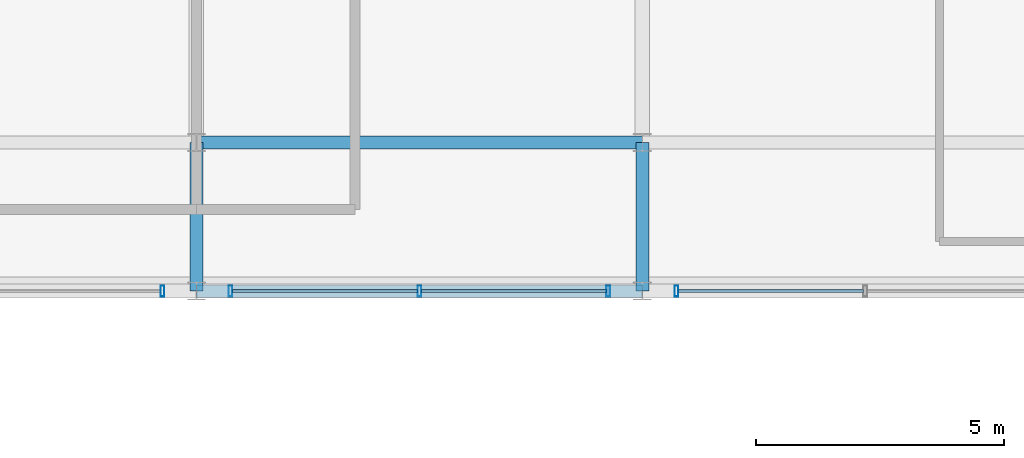
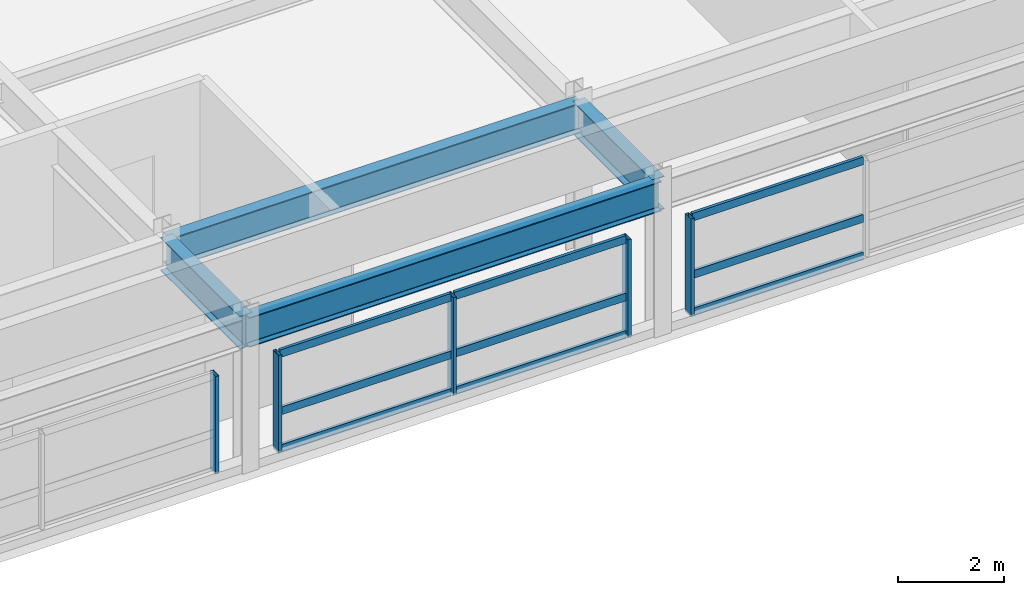
# One storey, part 71 of 108: 14 members, 4 beams, 3 elements without a shape of their own.
"""IFC4 building model written with IfcOpenShell, lengths in metres."""

from ifc_helpers import new_model, si_unit, direction, frame, origin, origin_2d, place, context, subcontext, project, spatial, hollow_rectangle, i_section, extrude, material, material_profile, profile_set, type_object, element, aggregate, save


model = new_model("IFC4")

# Units and contexts
model_context = context("Model", 3, precision=1e-05, world=origin(), true_north=direction((0.0, 1.0)))
body_context = subcontext(model_context, "Body", "Model", "MODEL_VIEW")
ifc_project = project(units=[si_unit("LENGTHUNIT", "METRE"), si_unit("AREAUNIT", "SQUARE_METRE"), si_unit("VOLUMEUNIT", "CUBIC_METRE"), si_unit("PLANEANGLEUNIT", "RADIAN"), si_unit("MASSUNIT", "GRAM", prefix="KILO")], contexts=[model_context])

# Site, building, storey
site_placement = place(None, origin())
site = spatial("IfcSite", under=ifc_project, at=site_placement, CompositionType="ELEMENT")
building_placement = place(site_placement, origin())
building = spatial("IfcBuilding", under=site, at=building_placement, Name="Kaldorvane Square Convention Centre", CompositionType="ELEMENT")
storey_placement = place(building_placement, frame((0.0, 0.0, 23.399993896484375)))
storey = spatial("IfcBuildingStorey", under=building, at=storey_placement, Name="L04", CompositionType="ELEMENT", Elevation=23.399993896484375)

# Beams
ifc_material_1 = material(Name="Steel ASTM A992 Gr. 50", Category="steel")
ifc_material_profile_1 = material_profile(ifc_material_1, i_section(OverallWidth=0.25439453125, OverallDepth=0.6880950927734375, WebThickness=0.0131072998046875, FlangeThickness=0.0211029052734375, FilletRadius=0.01519775390625, at=origin_2d()), Name="W27X102")
ifc_profile_set_1 = profile_set([ifc_material_profile_1], Name="Steel ASTM A992 Gr. 50")
beam_type_1 = type_object("IfcBeamType", Name="BM-GR-W27X102", PredefinedType="BEAM", material=ifc_profile_set_1)
for number, where, z_axis, x_axis, name in (
    (1, (147.0, 81.0, 3.1819000244140625), (1.0, 0.0, 0.0), (0.0, 1.0, 0.0), "Primary Girder (L04)"),
    (2, (147.0, 84.0, 3.1819000244140625), (1.0, 0.0, 0.0), (0.0, 1.0, 0.0), "Primary Girder (L04)"),
):
    element("IfcBeam", number, at=place(storey_placement, frame(where, z_axis=z_axis, x_axis=x_axis)), inside=storey, type_object=beam_type_1, Name=name, PredefinedType="BEAM", context=body_context, shape_type="SweptSolid", body=[
        extrude(i_section(OverallWidth=0.25439453125, OverallDepth=0.6880950927734375, WebThickness=0.0131072998046875, FlangeThickness=0.0211029052734375, FilletRadius=0.01519775390625, at=origin_2d()), origin(), (0.0, 0.0, 1.0), 9.0),
    ])
ifc_material_profile_2 = material_profile(ifc_material_1, i_section(OverallWidth=0.2666015625, OverallDepth=0.762298583984375, WebThickness=0.014404296875, FlangeThickness=0.0216064453125, FilletRadius=0.0164947509765625, at=origin_2d()), Name="W30X116")
ifc_profile_set_2 = profile_set([ifc_material_profile_2], Name="Steel ASTM A992 Gr. 50")
beam_type_2 = type_object("IfcBeamType", Name="BM-GR-W30X116", PredefinedType="BEAM", material=ifc_profile_set_2)
for number, where, z_axis, x_axis, name in (
    (3, (147.0, 81.0, 3.144805908203125), (0.0, 1.0, 0.0), (-1.0, 0.0, 0.0), "Transverse Girder (L04)"),
    (4, (156.0, 81.0, 3.144805908203125), (0.0, 1.0, 0.0), (-1.0, 0.0, 0.0), "Transverse Girder (L04)"),
):
    element("IfcBeam", number, at=place(storey_placement, frame(where, z_axis=z_axis, x_axis=x_axis)), inside=storey, type_object=beam_type_2, Name=name, PredefinedType="BEAM", context=body_context, shape_type="SweptSolid", body=[
        extrude(i_section(OverallWidth=0.2666015625, OverallDepth=0.762298583984375, WebThickness=0.014404296875, FlangeThickness=0.0216064453125, FilletRadius=0.0164947509765625, at=origin_2d()), origin(), (0.0, 0.0, 1.0), 3.0),
    ])

# Curtain wall, member
ifc_material_2 = material(Name="Anodized Aluminum and Low-E Insulated Glazing", Category="aluminium")
curtain_wall_type = type_object("IfcCurtainWallType", Name="CW-PTS-FC-42", PredefinedType="USERDEFINED", material=ifc_material_2)
curtain_wall_1_placement = place(storey_placement, origin())
curtain_wall_1 = element("IfcCurtainWall", 5, at=curtain_wall_1_placement, inside=storey, type_object=curtain_wall_type, Name="Curtain Wall CW-09 (L04)", ObjectType="POINT SUPPORTED GLAZING", PredefinedType="USERDEFINED")
ifc_material_profile_3 = material_profile(ifc_material_2, hollow_rectangle(XDim=0.0749969482421875, YDim=0.220001220703125, WallThickness=0.003997802734375, at=origin_2d()), Name="CWM-220X75")
ifc_profile_set_3 = profile_set([ifc_material_profile_3], Name="Anodized Aluminum and Low-E Insulated Glazing")
member_type_1 = type_object("IfcMemberType", Name="CW-MUL-220", PredefinedType="MULLION", material=ifc_profile_set_3)
member_1_placement = place(storey_placement, frame((146.3125, 81.0, 0.1500091552734375), z_axis=(0.0, 0.0, 1.0), x_axis=(1.0, 0.0, 0.0)))
member_1 = element("IfcMember", 6, at=member_1_placement, type_object=member_type_1, Name="CW-09 mullion 3", PredefinedType="MULLION", context=body_context, shape_type="SweptSolid", body=[
    extrude(hollow_rectangle(XDim=0.0749969482421875, YDim=0.220001220703125, WallThickness=0.003997802734375, at=origin_2d()), origin(), (0.0, 0.0, 1.0), 2.2599945068359375),
])
aggregate(curtain_wall_1, [member_1])

# Curtain wall, members
curtain_wall_2_placement = place(storey_placement, origin())
curtain_wall_2 = element("IfcCurtainWall", 7, at=curtain_wall_2_placement, inside=storey, type_object=curtain_wall_type, Name="Curtain Wall CW-09 (L04)", ObjectType="POINT SUPPORTED GLAZING", PredefinedType="USERDEFINED")
member_2_placement = place(storey_placement, frame((147.6875, 81.0, 0.1500091552734375), z_axis=(0.0, 0.0, 1.0), x_axis=(1.0, 0.0, 0.0)))
member_2 = element("IfcMember", 8, at=member_2_placement, type_object=member_type_1, Name="CW-09 mullion 1", PredefinedType="MULLION", context=body_context, shape_type="SweptSolid", body=[
    extrude(hollow_rectangle(XDim=0.0749969482421875, YDim=0.220001220703125, WallThickness=0.003997802734375, at=origin_2d()), origin(), (0.0, 0.0, 1.0), 2.2599945068359375),
])
member_3_placement = place(storey_placement, frame((151.5, 81.0, 0.1500091552734375), z_axis=(0.0, 0.0, 1.0), x_axis=(1.0, 0.0, 0.0)))
member_3 = element("IfcMember", 9, at=member_3_placement, type_object=member_type_1, Name="CW-09 mullion 2", PredefinedType="MULLION", context=body_context, shape_type="SweptSolid", body=[
    extrude(hollow_rectangle(XDim=0.0749969482421875, YDim=0.220001220703125, WallThickness=0.003997802734375, at=origin_2d()), origin(), (0.0, 0.0, 1.0), 2.2599945068359375),
])
member_4_placement = place(storey_placement, frame((155.3125, 81.0, 0.1500091552734375), z_axis=(0.0, 0.0, 1.0), x_axis=(1.0, 0.0, 0.0)))
member_4 = element("IfcMember", 10, at=member_4_placement, type_object=member_type_1, Name="CW-09 mullion 3", PredefinedType="MULLION", context=body_context, shape_type="SweptSolid", body=[
    extrude(hollow_rectangle(XDim=0.0749969482421875, YDim=0.220001220703125, WallThickness=0.003997802734375, at=origin_2d()), origin(), (0.0, 0.0, 1.0), 2.2599945068359375),
])

# Curtain wall, member
curtain_wall_3_placement = place(storey_placement, origin())
curtain_wall_3 = element("IfcCurtainWall", 11, at=curtain_wall_3_placement, inside=storey, type_object=curtain_wall_type, Name="Curtain Wall CW-09 (L04)", ObjectType="POINT SUPPORTED GLAZING", PredefinedType="USERDEFINED")
member_5_placement = place(storey_placement, frame((156.6875, 81.0, 0.1500091552734375), z_axis=(0.0, 0.0, 1.0), x_axis=(1.0, 0.0, 0.0)))
member_5 = element("IfcMember", 12, at=member_5_placement, type_object=member_type_1, Name="CW-09 mullion 1", PredefinedType="MULLION", context=body_context, shape_type="SweptSolid", body=[
    extrude(hollow_rectangle(XDim=0.0749969482421875, YDim=0.220001220703125, WallThickness=0.003997802734375, at=origin_2d()), origin(), (0.0, 0.0, 1.0), 2.2599945068359375),
])

# Member
ifc_material_profile_4 = material_profile(ifc_material_2, hollow_rectangle(XDim=0.06500244140625, YDim=0.17999267578125, WallThickness=0.0034942626953125, at=origin_2d()), Name="CWT-180X65")
ifc_profile_set_4 = profile_set([ifc_material_profile_4], Name="Anodized Aluminum and Low-E Insulated Glazing")
member_type_2 = type_object("IfcMemberType", Name="CW-TRN-180", PredefinedType="USERDEFINED", material=ifc_profile_set_4)
member_6_placement = place(storey_placement, frame((147.72500610351562, 81.0, 0.1825103759765625), z_axis=(1.0, 0.0, 0.0), x_axis=(0.0, 1.0, 0.0)))
member_6 = element("IfcMember", 13, at=member_6_placement, type_object=member_type_2, Name="CW-09 transom 1.1", ObjectType="TRANSOM", PredefinedType="USERDEFINED", context=body_context, shape_type="SweptSolid", body=[
    extrude(hollow_rectangle(XDim=0.06500244140625, YDim=0.17999267578125, WallThickness=0.0034942626953125, at=origin_2d()), origin(), (0.0, 0.0, 1.0), 3.73748779296875),
])

member_7_placement = place(storey_placement, frame((147.72500610351562, 81.0, 1.0500030517578125), z_axis=(1.0, 0.0, 0.0), x_axis=(0.0, 1.0, 0.0)))
member_7 = element("IfcMember", 14, at=member_7_placement, type_object=member_type_2, Name="CW-09 transom 1.2", ObjectType="TRANSOM", PredefinedType="USERDEFINED", context=body_context, shape_type="SweptSolid", body=[
    extrude(hollow_rectangle(XDim=0.06500244140625, YDim=0.17999267578125, WallThickness=0.0034942626953125, at=origin_2d()), origin(), (0.0, 0.0, 1.0), 3.73748779296875),
])

member_8_placement = place(storey_placement, frame((147.72500610351562, 81.0, 2.37750244140625), z_axis=(1.0, 0.0, 0.0), x_axis=(0.0, 1.0, 0.0)))
member_8 = element("IfcMember", 15, at=member_8_placement, type_object=member_type_2, Name="CW-09 transom 1.3", ObjectType="TRANSOM", PredefinedType="USERDEFINED", context=body_context, shape_type="SweptSolid", body=[
    extrude(hollow_rectangle(XDim=0.06500244140625, YDim=0.17999267578125, WallThickness=0.0034942626953125, at=origin_2d()), origin(), (0.0, 0.0, 1.0), 3.73748779296875),
])

member_9_placement = place(storey_placement, frame((151.53750610351562, 81.0, 0.1825103759765625), z_axis=(1.0, 0.0, 0.0), x_axis=(0.0, 1.0, 0.0)))
member_9 = element("IfcMember", 16, at=member_9_placement, type_object=member_type_2, Name="CW-09 transom 2.1", ObjectType="TRANSOM", PredefinedType="USERDEFINED", context=body_context, shape_type="SweptSolid", body=[
    extrude(hollow_rectangle(XDim=0.06500244140625, YDim=0.17999267578125, WallThickness=0.0034942626953125, at=origin_2d()), origin(), (0.0, 0.0, 1.0), 3.73748779296875),
])

member_10_placement = place(storey_placement, frame((151.53750610351562, 81.0, 1.0500030517578125), z_axis=(1.0, 0.0, 0.0), x_axis=(0.0, 1.0, 0.0)))
member_10 = element("IfcMember", 17, at=member_10_placement, type_object=member_type_2, Name="CW-09 transom 2.2", ObjectType="TRANSOM", PredefinedType="USERDEFINED", context=body_context, shape_type="SweptSolid", body=[
    extrude(hollow_rectangle(XDim=0.06500244140625, YDim=0.17999267578125, WallThickness=0.0034942626953125, at=origin_2d()), origin(), (0.0, 0.0, 1.0), 3.73748779296875),
])

member_11_placement = place(storey_placement, frame((151.53750610351562, 81.0, 2.37750244140625), z_axis=(1.0, 0.0, 0.0), x_axis=(0.0, 1.0, 0.0)))
member_11 = element("IfcMember", 18, at=member_11_placement, type_object=member_type_2, Name="CW-09 transom 2.3", ObjectType="TRANSOM", PredefinedType="USERDEFINED", context=body_context, shape_type="SweptSolid", body=[
    extrude(hollow_rectangle(XDim=0.06500244140625, YDim=0.17999267578125, WallThickness=0.0034942626953125, at=origin_2d()), origin(), (0.0, 0.0, 1.0), 3.73748779296875),
])

aggregate(curtain_wall_2, [member_2, member_3, member_4, member_6, member_7, member_8, member_9, member_10, member_11])

member_12_placement = place(storey_placement, frame((156.72500610351562, 81.0, 0.1825103759765625), z_axis=(1.0, 0.0, 0.0), x_axis=(0.0, 1.0, 0.0)))
member_12 = element("IfcMember", 19, at=member_12_placement, type_object=member_type_2, Name="CW-09 transom 1.1", ObjectType="TRANSOM", PredefinedType="USERDEFINED", context=body_context, shape_type="SweptSolid", body=[
    extrude(hollow_rectangle(XDim=0.06500244140625, YDim=0.17999267578125, WallThickness=0.0034942626953125, at=origin_2d()), origin(), (0.0, 0.0, 1.0), 3.73748779296875),
])

member_13_placement = place(storey_placement, frame((156.72500610351562, 81.0, 1.0500030517578125), z_axis=(1.0, 0.0, 0.0), x_axis=(0.0, 1.0, 0.0)))
member_13 = element("IfcMember", 20, at=member_13_placement, type_object=member_type_2, Name="CW-09 transom 1.2", ObjectType="TRANSOM", PredefinedType="USERDEFINED", context=body_context, shape_type="SweptSolid", body=[
    extrude(hollow_rectangle(XDim=0.06500244140625, YDim=0.17999267578125, WallThickness=0.0034942626953125, at=origin_2d()), origin(), (0.0, 0.0, 1.0), 3.73748779296875),
])

member_14_placement = place(storey_placement, frame((156.72500610351562, 81.0, 2.37750244140625), z_axis=(1.0, 0.0, 0.0), x_axis=(0.0, 1.0, 0.0)))
member_14 = element("IfcMember", 21, at=member_14_placement, type_object=member_type_2, Name="CW-09 transom 1.3", ObjectType="TRANSOM", PredefinedType="USERDEFINED", context=body_context, shape_type="SweptSolid", body=[
    extrude(hollow_rectangle(XDim=0.06500244140625, YDim=0.17999267578125, WallThickness=0.0034942626953125, at=origin_2d()), origin(), (0.0, 0.0, 1.0), 3.73748779296875),
])

aggregate(curtain_wall_3, [member_5, member_12, member_13, member_14])

save(model, "model.ifc")
